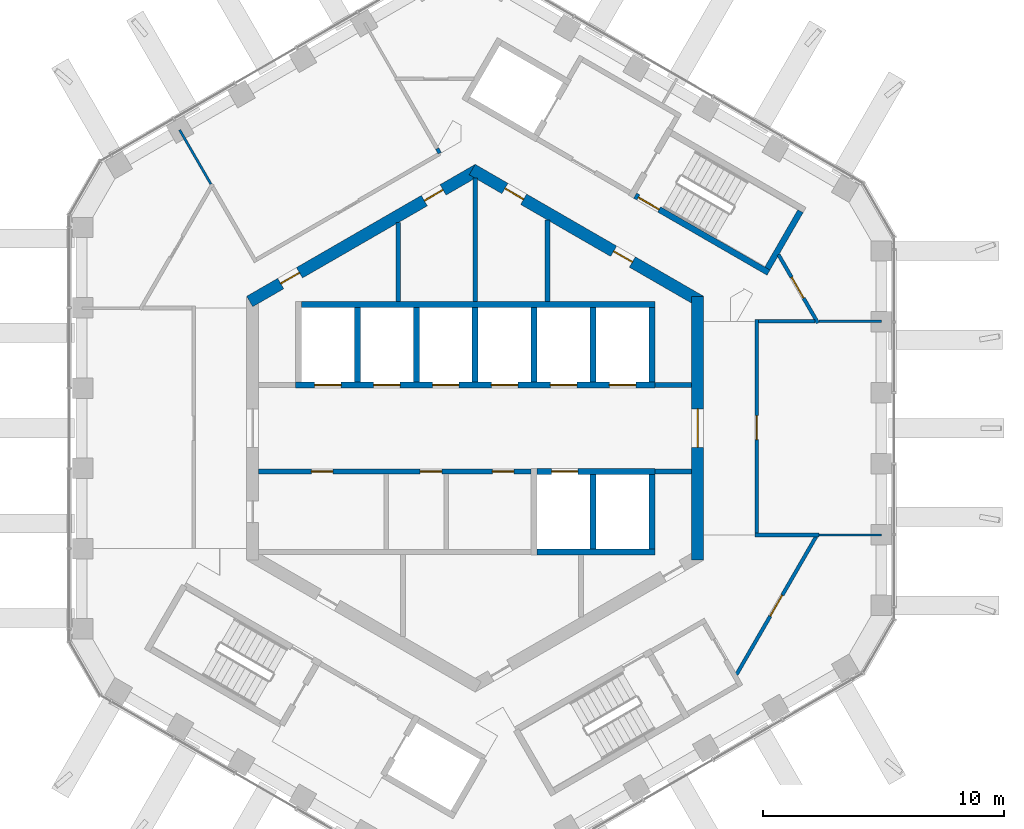
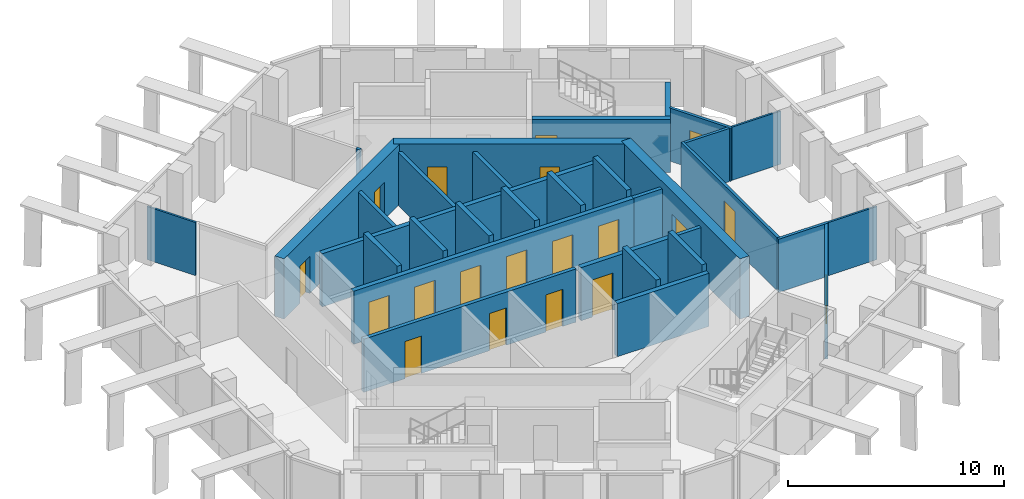
# One storey, part 12 of 17: 32 walls, 19 doors, 19 openings.
"""IFC4 building model written with IfcOpenShell, lengths in metres."""

import ifcopenshell
import ifcopenshell.guid

model = None  # the IFC model being written
_history = None  # IfcOwnerHistory: only IFC2X3 demands one
_inside = {}  # id of a spatial element -> (the spatial element, [elements in it])
_under = {}  # id of a project, library or spatial element -> (it, [spatial elements below it])
_declared = {}  # id of a project -> (the project, [libraries it declares])
_typed = {}  # id of a type object -> (the type object, [elements of that type])
_made_of = {}  # id of a material, layer set ... -> (it, [elements and type objects made of it])


def new_model(schema):
    """Start an empty IFC model of exactly this schema.

    Asked for "IFC4X3", IfcOpenShell would pick the latest addendum, in which some entities
    have other attributes; the version numbers below select the first issue.
    IFC2X3 requires an IfcOwnerHistory on every rooted entity: one is made here for all.
    """
    global model, _history
    if schema == "IFC4X3":
        model = ifcopenshell.file(schema_version=(4, 3, 0, 0))
    else:
        model = ifcopenshell.file(schema=schema)
    _inside.clear()
    _under.clear()
    _declared.clear()
    _typed.clear()
    _made_of.clear()
    _history = None
    if model.schema == "IFC2X3":
        org = make("IfcOrganization", Name="unknown")
        user = make(
            "IfcPersonAndOrganization",
            ThePerson=make("IfcPerson", FamilyName="unknown"),
            TheOrganization=org,
        )
        app = make(
            "IfcApplication",
            ApplicationDeveloper=org,
            Version="unknown",
            ApplicationFullName="unknown",
            ApplicationIdentifier="unknown",
        )
        _history = make(
            "IfcOwnerHistory",
            OwningUser=user,
            OwningApplication=app,
            ChangeAction="ADDED",
            CreationDate=0,
        )
    return model


def make(cls, **values):
    """One entity of the class cls with the attributes given. An attribute that is None is left unset."""
    return model.create_entity(
        cls, **{name: value for name, value in values.items() if value is not None}
    )


def rooted(cls, **values):
    """An entity with a GlobalId (a new one), such as an element, a storey or a relation."""
    return make(cls, GlobalId=ifcopenshell.guid.new(), OwnerHistory=_history, **values)


def si_unit(unit_type, name, prefix=None):
    """IfcSIUnit, for example si_unit("LENGTHUNIT", "METRE", prefix="MILLI")."""
    return make("IfcSIUnit", UnitType=unit_type, Prefix=prefix, Name=name)


def assignment(units):
    """IfcUnitAssignment: the units of a project."""
    return None if units is None else make("IfcUnitAssignment", Units=units)


def point(xyz):
    """IfcCartesianPoint."""
    return None if xyz is None else make("IfcCartesianPoint", Coordinates=xyz)


def direction(xyz):
    """IfcDirection."""
    return None if xyz is None else make("IfcDirection", DirectionRatios=xyz)


def frame(location, z_axis=None, x_axis=None):
    """IfcAxis2Placement3D, a coordinate frame: its origin and axes. An axis left out is left unset."""
    return make(
        "IfcAxis2Placement3D",
        Location=point(location),
        Axis=direction(z_axis),
        RefDirection=direction(x_axis),
    )


def frame_2d(location, x_axis=None):
    """IfcAxis2Placement2D, a coordinate frame in the plane: its origin and x axis."""
    return make(
        "IfcAxis2Placement2D", Location=point(location), RefDirection=direction(x_axis)
    )


def origin():
    """The frame at (0, 0, 0) with its axes left unset."""
    return frame((0.0, 0.0, 0.0))


def place(relative_to, where):
    """IfcLocalPlacement: puts the frame where relative to a parent placement (None: the world)."""
    return make(
        "IfcLocalPlacement", PlacementRelTo=relative_to, RelativePlacement=where
    )


def context(
    kind, dimensions, precision=None, world=None, true_north=None, identifier=None
):
    """IfcGeometricRepresentationContext, for example the 3D "Model" context."""
    return make(
        "IfcGeometricRepresentationContext",
        ContextIdentifier=identifier,
        ContextType=kind,
        CoordinateSpaceDimension=dimensions,
        Precision=precision,
        WorldCoordinateSystem=world,
        TrueNorth=true_north,
    )


def subcontext(parent, identifier, kind, view, scale=None):
    """IfcGeometricRepresentationSubContext, for example "Body" below "Model"."""
    return make(
        "IfcGeometricRepresentationSubContext",
        ContextIdentifier=identifier,
        ContextType=kind,
        ParentContext=parent,
        TargetScale=scale,
        TargetView=view,
    )


def project(units=None, contexts=None):
    """IfcProject with its units and contexts."""
    return rooted(
        "IfcProject",
        Name="project",
        RepresentationContexts=contexts,
        UnitsInContext=assignment(units),
    )


def spatial(cls, under=None, at=None, **own):
    """A site, building, storey or space (cls), placed at a placement, below another one or the project."""
    s = rooted(cls, ObjectPlacement=at, **own)
    if under is not None:
        _under.setdefault(under.id(), (under, []))[1].append(s)
    return s


def profile(cls, at=None, kind="AREA", **sizes):
    """A parametric profile (cls). Its sizes go by their IFC names, for example OverallWidth=200.0."""
    return make(cls, ProfileType=kind, Position=at, **sizes)


def rectangle(**sizes):
    """IfcRectangleProfileDef."""
    return profile("IfcRectangleProfileDef", **sizes)


def extrude(swept, where, along, depth):
    """IfcExtrudedAreaSolid: the profile swept, set in the frame where, extruded along a direction by depth."""
    return make(
        "IfcExtrudedAreaSolid",
        SweptArea=swept,
        Position=where,
        ExtrudedDirection=direction(along),
        Depth=depth,
    )


def shape(context_of_items, identifier, shape_type, items):
    """IfcShapeRepresentation: the items that make up one representation, for example the "Body"."""
    return make(
        "IfcShapeRepresentation",
        ContextOfItems=context_of_items,
        RepresentationIdentifier=identifier,
        RepresentationType=shape_type,
        Items=items,
    )


def material(Name=None, Category=None):
    """IfcMaterial."""
    return make("IfcMaterial", Name=Name, Category=Category)


def layer(
    of_material, thickness, ventilated=None, Name=None, Category=None, Priority=None
):
    """IfcMaterialLayer: one layer of a wall or slab, of a material (None: an air gap)."""
    return make(
        "IfcMaterialLayer",
        Material=of_material,
        LayerThickness=thickness,
        IsVentilated=ventilated,
        Name=Name,
        Category=Category,
        Priority=Priority,
    )


def layer_set(layers, Name=None):
    """IfcMaterialLayerSet."""
    return make("IfcMaterialLayerSet", MaterialLayers=layers, LayerSetName=Name)


def made_of(thing, what):
    """Note that an element or type object is made of a material, layer set ...; save() writes the relation."""
    if what is not None:
        _made_of.setdefault(what.id(), (what, []))[1].append(thing)
    return thing


def type_object(cls, material=None, **own):
    """A type object (cls), such as IfcWallType, which elements share."""
    return made_of(rooted(cls, **own), material)


def element(
    cls,
    number,
    at=None,
    inside=None,
    cuts=None,
    type_object=None,
    material=None,
    context=None,
    identifier="Body",
    shape_type=None,
    held_by="IfcProductDefinitionShape",
    body=None,
    shapes=None,
    **own,
):
    """One element of the class cls, such as IfcWall. Its Tag is "e" and its number.

    at: its placement. inside: the storey or other place that contains it. cuts: it is an
    opening in that element (IfcRelVoidsElement). A single representation is given by context,
    identifier, shape_type and body (its items); several are given by shapes. held_by: the class
    of the entity that holds the representations. save() writes the other relations.
    """
    e = rooted(cls, Tag="e%d" % number, ObjectPlacement=at, **own)
    if body is not None:
        shapes = [shape(context, identifier, shape_type, body)]
    if shapes is not None:
        e.Representation = make(held_by, Representations=shapes)
    if inside is not None:
        _inside.setdefault(inside.id(), (inside, []))[1].append(e)
    if cuts is not None:
        rooted(
            "IfcRelVoidsElement", RelatingBuildingElement=cuts, RelatedOpeningElement=e
        )
    if type_object is not None:
        _typed.setdefault(type_object.id(), (type_object, []))[1].append(e)
    return made_of(e, material)


def fill(opening, filler):
    """IfcRelFillsElement: the door or window that sits in an opening."""
    return rooted(
        "IfcRelFillsElement",
        RelatingOpeningElement=opening,
        RelatedBuildingElement=filler,
    )


def aggregate(whole, parts):
    """IfcRelAggregates: a whole, such as a stair, and the parts it consists of."""
    return rooted("IfcRelAggregates", RelatingObject=whole, RelatedObjects=parts)


def save(model, path):
    """Write the relations noted so far, then the file.

    IfcRelAggregates (storeys below a building ...), IfcRelContainedInSpatialStructure (elements
    in a storey), IfcRelDefinesByType, IfcRelAssociatesMaterial and IfcRelDeclares: one each for
    every whole, place, type object, material and project.
    """
    for whole, parts in _under.values():
        aggregate(whole, parts)
    for where, things in _inside.values():
        rooted(
            "IfcRelContainedInSpatialStructure",
            RelatedElements=things,
            RelatingStructure=where,
        )
    for kind, things in _typed.values():
        rooted("IfcRelDefinesByType", RelatedObjects=things, RelatingType=kind)
    for what, things in _made_of.values():
        rooted("IfcRelAssociatesMaterial", RelatedObjects=things, RelatingMaterial=what)
    for by, libraries in _declared.values():
        rooted("IfcRelDeclares", RelatingContext=by, RelatedDefinitions=libraries)
    model.write(path)


model = new_model("IFC4")

# Units and contexts
model_context = context("Model", 3, precision=1e-05, world=origin(), true_north=direction((0.0, 1.0)))
body_context = subcontext(model_context, "Body", "Model", "MODEL_VIEW")
ifc_project = project(units=[si_unit("LENGTHUNIT", "METRE"), si_unit("AREAUNIT", "SQUARE_METRE"), si_unit("VOLUMEUNIT", "CUBIC_METRE"), si_unit("PLANEANGLEUNIT", "RADIAN"), si_unit("MASSUNIT", "GRAM", prefix="KILO")], contexts=[model_context])

# Site, building, storey
site_placement = place(None, origin())
site = spatial("IfcSite", under=ifc_project, at=site_placement, CompositionType="ELEMENT")
building_placement = place(site_placement, origin())
building = spatial("IfcBuilding", under=site, at=building_placement, Name="Ayvan Gate Tower", CompositionType="ELEMENT")
storey_placement = place(building_placement, frame((0.0, 0.0, 249.5)))
storey = spatial("IfcBuildingStorey", under=building, at=storey_placement, Name="L67", CompositionType="ELEMENT", Elevation=249.5)

# Wall, opening, door
ifc_material_1 = material(Name="Concrete C60/75", Category="concrete")
ifc_layer_1 = layer(ifc_material_1, 0.5)
ifc_layer_set_1 = layer_set([ifc_layer_1], Name="Concrete C60/75")
wall_type_1 = type_object("IfcWallType", Name="Core wall 500 C60/75", PredefinedType="SHEAR", material=ifc_layer_set_1)
wall_1_placement = place(storey_placement, frame((9.25, -5.48486328125, 0.0), z_axis=(0.0, 0.0, 1.0), x_axis=(0.0, 1.0, 0.0)))
wall_1 = element("IfcWall", 1, at=wall_1_placement, inside=storey, type_object=wall_type_1, Name="CORE-L67-0", PredefinedType="SHEAR", context=body_context, shape_type="SweptSolid", body=[
    extrude(rectangle(XDim=10.9697265625, YDim=0.5, at=frame_2d((5.48486328125, 0.0))), origin(), (0.0, 0.0, 1.0), 3.39990234375),
])
opening_1_placement = place(wall_1_placement, frame((4.684814453125, 0.0, 0.0)))
opening_1 = element("IfcOpeningElement", 2, at=opening_1_placement, cuts=wall_1, Name="Opening L67-D37", PredefinedType="OPENING", context=body_context, shape_type="SweptSolid", body=[
    extrude(rectangle(XDim=1.60009765625, YDim=2.10009765625, at=frame_2d((0.800048828125, 1.050048828125))), frame((0.0, 0.260009765625, 0.0), z_axis=(0.0, -1.0, 0.0), x_axis=(1.0, 0.0, 0.0)), (0.0, 0.0, 1.0), 0.52001953125),
])
ifc_material_2 = material(Name="Timber door leaf", Category="wood")
door_type_1 = type_object("IfcDoorType", Name="DT-1600", OperationType="NOTDEFINED", PredefinedType="DOOR", material=ifc_material_2)
door_1_placement = place(opening_1_placement, origin())
door_1 = element("IfcDoor", 3, at=door_1_placement, inside=storey, type_object=door_type_1, Name="CD-L67-37", OperationType="SINGLE_SWING_RIGHT", OverallHeight=2.10009765625, OverallWidth=1.60009765625, PredefinedType="DOOR", context=body_context, shape_type="SweptSolid", body=[
    extrude(rectangle(XDim=1.60009765625, YDim=2.10009765625, at=frame_2d((0.800048828125, 1.050048828125))), frame((0.0, 0.02490234375, 0.0), z_axis=(0.0, -1.0, 0.0), x_axis=(1.0, 0.0, 0.0)), (0.0, 0.0, 1.0), 0.050048828125),
])
fill(opening_1, door_1)

# Wall, openings, doors
wall_2_placement = place(storey_placement, frame((9.375, 5.268310546875, 0.0), z_axis=(0.0, 0.0, 1.0), x_axis=(-0.866023993627, 0.500002442456, 0.0)))
wall_2 = element("IfcWall", 4, at=wall_2_placement, inside=storey, type_object=wall_type_1, Name="CORE-L67-1", PredefinedType="SHEAR", context=body_context, shape_type="SweptSolid", body=[
    extrude(rectangle(XDim=10.9697265625, YDim=0.5, at=frame_2d((5.48486328125, 0.0))), origin(), (0.0, 0.0, 1.0), 3.39990234375),
])
opening_2_placement = place(wall_2_placement, frame((8.49951171875, 0.0, 0.0)))
opening_2 = element("IfcOpeningElement", 5, at=opening_2_placement, cuts=wall_2, Name="Opening L67-D31", PredefinedType="OPENING", context=body_context, shape_type="SweptSolid", body=[
    extrude(rectangle(XDim=0.89990234375, YDim=2.10009765625, at=frame_2d((0.449951171875, 1.050048828125))), frame((0.0, 0.260009765625, 0.0), z_axis=(0.0, -1.0, 0.0), x_axis=(1.0, 0.0, 0.0)), (0.0, 0.0, 1.0), 0.52001953125),
])
opening_3_placement = place(wall_2_placement, frame((3.2802734375, 0.0, 0.0)))
opening_3 = element("IfcOpeningElement", 6, at=opening_3_placement, cuts=wall_2, Name="Opening L67-D32", PredefinedType="OPENING", context=body_context, shape_type="SweptSolid", body=[
    extrude(rectangle(XDim=0.89990234375, YDim=2.10009765625, at=frame_2d((0.449951171875, 1.050048828125))), frame((0.0, 0.260009765625, 0.0), z_axis=(0.0, -1.0, 0.0), x_axis=(1.0, 0.0, 0.0)), (0.0, 0.0, 1.0), 0.52001953125),
])
door_type_2 = type_object("IfcDoorType", Name="DT-900", OperationType="NOTDEFINED", PredefinedType="DOOR", material=ifc_material_2)
door_2_placement = place(opening_2_placement, origin())
door_2 = element("IfcDoor", 7, at=door_2_placement, inside=storey, type_object=door_type_2, Name="CD-L67-31", OperationType="SINGLE_SWING_RIGHT", OverallHeight=2.10009765625, OverallWidth=0.89990234375, PredefinedType="DOOR", context=body_context, shape_type="SweptSolid", body=[
    extrude(rectangle(XDim=0.89990234375, YDim=2.10009765625, at=frame_2d((0.449951171875, 1.050048828125))), frame((0.0, 0.02490234375, 0.0), z_axis=(0.0, -1.0, 0.0), x_axis=(1.0, 0.0, 0.0)), (0.0, 0.0, 1.0), 0.050048828125),
])
fill(opening_2, door_2)
door_3_placement = place(opening_3_placement, origin())
door_3 = element("IfcDoor", 8, at=door_3_placement, inside=storey, type_object=door_type_2, Name="CD-L67-32", OperationType="SINGLE_SWING_LEFT", OverallHeight=2.10009765625, OverallWidth=0.89990234375, PredefinedType="DOOR", context=body_context, shape_type="SweptSolid", body=[
    extrude(rectangle(XDim=0.89990234375, YDim=2.10009765625, at=frame_2d((0.449951171875, 1.050048828125))), frame((0.0, 0.02490234375, 0.0), z_axis=(0.0, -1.0, 0.0), x_axis=(1.0, 0.0, 0.0)), (0.0, 0.0, 1.0), 0.050048828125),
])
fill(opening_3, door_3)

wall_3_placement = place(storey_placement, frame((0.125, 10.753173828125, 0.0), z_axis=(0.0, 0.0, 1.0), x_axis=(-0.866023993627, -0.500002442456, 0.0)))
wall_3 = element("IfcWall", 9, at=wall_3_placement, inside=storey, type_object=wall_type_1, Name="CORE-L67-2", PredefinedType="SHEAR", context=body_context, shape_type="SweptSolid", body=[
    extrude(rectangle(XDim=10.9697265625, YDim=0.5, at=frame_2d((5.48486328125, 0.0))), origin(), (0.0, 0.0, 1.0), 3.39990234375),
])
opening_4_placement = place(wall_3_placement, frame((8.580810546875, 0.0, 0.0)))
opening_4 = element("IfcOpeningElement", 10, at=opening_4_placement, cuts=wall_3, Name="Opening L67-D29", PredefinedType="OPENING", context=body_context, shape_type="SweptSolid", body=[
    extrude(rectangle(XDim=0.89990234375, YDim=2.10009765625, at=frame_2d((0.449951171875, 1.050048828125))), frame((0.0, 0.260009765625, 0.0), z_axis=(0.0, -1.0, 0.0), x_axis=(1.0, 0.0, 0.0)), (0.0, 0.0, 1.0), 0.52001953125),
])
opening_5_placement = place(wall_3_placement, frame((1.686767578125, 0.0, 0.0)))
opening_5 = element("IfcOpeningElement", 11, at=opening_5_placement, cuts=wall_3, Name="Opening L67-D30", PredefinedType="OPENING", context=body_context, shape_type="SweptSolid", body=[
    extrude(rectangle(XDim=0.89990234375, YDim=2.10009765625, at=frame_2d((0.449951171875, 1.050048828125))), frame((0.0, 0.260009765625, 0.0), z_axis=(0.0, -1.0, 0.0), x_axis=(1.0, 0.0, 0.0)), (0.0, 0.0, 1.0), 0.52001953125),
])
door_4_placement = place(opening_4_placement, origin())
door_4 = element("IfcDoor", 12, at=door_4_placement, inside=storey, type_object=door_type_2, Name="CD-L67-29", OperationType="SINGLE_SWING_RIGHT", OverallHeight=2.10009765625, OverallWidth=0.89990234375, PredefinedType="DOOR", context=body_context, shape_type="SweptSolid", body=[
    extrude(rectangle(XDim=0.89990234375, YDim=2.10009765625, at=frame_2d((0.449951171875, 1.050048828125))), frame((0.0, 0.02490234375, 0.0), z_axis=(0.0, -1.0, 0.0), x_axis=(1.0, 0.0, 0.0)), (0.0, 0.0, 1.0), 0.050048828125),
])
fill(opening_4, door_4)
door_5_placement = place(opening_5_placement, origin())
door_5 = element("IfcDoor", 13, at=door_5_placement, inside=storey, type_object=door_type_2, Name="CD-L67-30", OperationType="SINGLE_SWING_LEFT", OverallHeight=2.10009765625, OverallWidth=0.89990234375, PredefinedType="DOOR", context=body_context, shape_type="SweptSolid", body=[
    extrude(rectangle(XDim=0.89990234375, YDim=2.10009765625, at=frame_2d((0.449951171875, 1.050048828125))), frame((0.0, 0.02490234375, 0.0), z_axis=(0.0, -1.0, 0.0), x_axis=(1.0, 0.0, 0.0)), (0.0, 0.0, 1.0), 0.050048828125),
])
fill(opening_5, door_5)

# Walls
ifc_material_3 = material(Name="Plasterboard on steel stud", Category="steel")
ifc_layer_2 = layer(ifc_material_3, 0.14990234375)
ifc_layer_set_2 = layer_set([ifc_layer_2], Name="Plasterboard on steel stud")
wall_type_2 = type_object("IfcWallType", Name="WT-CORR-150", PredefinedType="PARTITIONING", material=ifc_layer_set_2)
wall_4_placement = place(storey_placement, frame((-1.5830078125, 11.623291015625, 0.0), z_axis=(0.0, 0.0, 1.0), x_axis=(0.500240224089, -0.865886665912, 0.0)))
element("IfcWall", 14, at=wall_4_placement, inside=storey, type_object=wall_type_2, Name="IW-L67-028", PredefinedType="PARTITIONING", context=body_context, shape_type="SweptSolid", body=[
    extrude(rectangle(XDim=0.2177734375, YDim=0.14990234375, at=frame_2d((0.10888671875, 0.0))), origin(), (0.0, 0.0, 1.0), 3.0),
])
wall_5_placement = place(storey_placement, frame((11.625, -4.440673828125, 0.0), z_axis=(0.0, 0.0, 1.0), x_axis=(1.0, 0.0, 0.0)))
element("IfcWall", 15, at=wall_5_placement, inside=storey, type_object=wall_type_2, Name="IW-L67-065", PredefinedType="PARTITIONING", context=body_context, shape_type="SweptSolid", body=[
    extrude(rectangle(XDim=2.6611328125, YDim=0.14990234375, at=frame_2d((1.33056640625, 0.0))), origin(), (0.0, 0.0, 1.0), 3.0),
])

# Wall, opening, door
wall_6_placement = place(storey_placement, frame((11.699951171875, 4.515625, 0.0), z_axis=(0.0, 0.0, 1.0), x_axis=(0.0, -1.0, 0.0)))
wall_6 = element("IfcWall", 16, at=wall_6_placement, inside=storey, type_object=wall_type_2, Name="IW-L67-066", PredefinedType="PARTITIONING", context=body_context, shape_type="SweptSolid", body=[
    extrude(rectangle(XDim=8.88134765625, YDim=0.14990234375, at=frame_2d((4.440673828125, 0.0))), origin(), (0.0, 0.0, 1.0), 3.0),
])
opening_6_placement = place(wall_6_placement, frame((3.9931640625, 0.0, 0.0)))
opening_6 = element("IfcOpeningElement", 17, at=opening_6_placement, cuts=wall_6, Name="Opening L67-D22", PredefinedType="OPENING", context=body_context, shape_type="SweptSolid", body=[
    extrude(rectangle(XDim=1.0, YDim=2.10009765625, at=frame_2d((0.5, 1.050048828125))), frame((0.0, 0.0849609375, 0.0), z_axis=(0.0, -1.0, 0.0), x_axis=(1.0, 0.0, 0.0)), (0.0, 0.0, 1.0), 0.169921875),
])
door_type_3 = type_object("IfcDoorType", Name="DT-1000", OperationType="NOTDEFINED", PredefinedType="DOOR", material=ifc_material_2)
door_6_placement = place(opening_6_placement, origin())
door_6 = element("IfcDoor", 18, at=door_6_placement, inside=storey, type_object=door_type_3, Name="ID-L67-022", OperationType="SINGLE_SWING_LEFT", OverallHeight=2.10009765625, OverallWidth=1.0, PredefinedType="DOOR", context=body_context, shape_type="SweptSolid", body=[
    extrude(rectangle(XDim=1.0, YDim=2.10009765625, at=frame_2d((0.5, 1.050048828125))), frame((0.0, 0.02490234375, 0.0), z_axis=(0.0, -1.0, 0.0), x_axis=(1.0, 0.0, 0.0)), (0.0, 0.0, 1.0), 0.050048828125),
])
fill(opening_6, door_6)

wall_7_placement = place(storey_placement, frame((12.60693359375, 7.21923828125, 0.0), z_axis=(0.0, 0.0, 1.0), x_axis=(0.499977771575, -0.866038236991, 0.0)))
wall_7 = element("IfcWall", 19, at=wall_7_placement, inside=storey, type_object=wall_type_2, Name="IW-L67-068", PredefinedType="PARTITIONING", context=body_context, shape_type="SweptSolid", body=[
    extrude(rectangle(XDim=3.283447265625, YDim=0.14990234375, at=frame_2d((1.6416015625, 0.0))), origin(), (0.0, 0.0, 1.0), 3.0),
])
opening_7_placement = place(wall_7_placement, frame((1.0869140625, 0.0, 0.0)))
opening_7 = element("IfcOpeningElement", 20, at=opening_7_placement, cuts=wall_7, Name="Opening L67-D23", PredefinedType="OPENING", context=body_context, shape_type="SweptSolid", body=[
    extrude(rectangle(XDim=1.0, YDim=2.10009765625, at=frame_2d((0.5, 1.050048828125))), frame((0.0, 0.0849609375, 0.0), z_axis=(0.0, -1.0, 0.0), x_axis=(1.0, 0.0, 0.0)), (0.0, 0.0, 1.0), 0.169921875),
])
door_7_placement = place(opening_7_placement, origin())
door_7 = element("IfcDoor", 21, at=door_7_placement, inside=storey, type_object=door_type_3, Name="ID-L67-023", OperationType="SINGLE_SWING_RIGHT", OverallHeight=2.10009765625, OverallWidth=1.0, PredefinedType="DOOR", context=body_context, shape_type="SweptSolid", body=[
    extrude(rectangle(XDim=1.0, YDim=2.10009765625, at=frame_2d((0.5, 1.050048828125))), frame((0.0, 0.02490234375, 0.0), z_axis=(0.0, -1.0, 0.0), x_axis=(1.0, 0.0, 0.0)), (0.0, 0.0, 1.0), 0.050048828125),
])
fill(opening_7, door_7)

wall_8_placement = place(storey_placement, frame((14.173583984375, -4.505615234375, 0.0), z_axis=(0.0, 0.0, 1.0), x_axis=(-0.499996888874, -0.866027199987, 0.0)))
wall_8 = element("IfcWall", 22, at=wall_8_placement, inside=storey, type_object=wall_type_2, Name="IW-L67-071", PredefinedType="PARTITIONING", context=body_context, shape_type="SweptSolid", body=[
    extrude(rectangle(XDim=6.62255859375, YDim=0.14990234375, at=frame_2d((3.311279296875, 0.0))), origin(), (0.0, 0.0, 1.0), 3.0),
])
opening_8_placement = place(wall_8_placement, frame((2.811279296875, 0.0, 0.0)))
opening_8 = element("IfcOpeningElement", 23, at=opening_8_placement, cuts=wall_8, Name="Opening L67-D27", PredefinedType="OPENING", context=body_context, shape_type="SweptSolid", body=[
    extrude(rectangle(XDim=1.0, YDim=2.10009765625, at=frame_2d((0.5, 1.050048828125))), frame((0.0, 0.0849609375, 0.0), z_axis=(0.0, -1.0, 0.0), x_axis=(1.0, 0.0, 0.0)), (0.0, 0.0, 1.0), 0.169921875),
])
door_8_placement = place(opening_8_placement, origin())
door_8 = element("IfcDoor", 24, at=door_8_placement, inside=storey, type_object=door_type_3, Name="ID-L67-027", OperationType="SINGLE_SWING_RIGHT", OverallHeight=2.10009765625, OverallWidth=1.0, PredefinedType="DOOR", context=body_context, shape_type="SweptSolid", body=[
    extrude(rectangle(XDim=1.0, YDim=2.10009765625, at=frame_2d((0.5, 1.050048828125))), frame((0.0, 0.02490234375, 0.0), z_axis=(0.0, -1.0, 0.0), x_axis=(1.0, 0.0, 0.0)), (0.0, 0.0, 1.0), 0.050048828125),
])
fill(opening_8, door_8)

# Walls
wall_9_placement = place(storey_placement, frame((14.135986328125, 4.440673828125, 0.0), z_axis=(0.0, 0.0, 1.0), x_axis=(-1.0, 0.0, 0.0)))
element("IfcWall", 25, at=wall_9_placement, inside=storey, type_object=wall_type_2, Name="IW-L67-072", PredefinedType="PARTITIONING", context=body_context, shape_type="SweptSolid", body=[
    extrude(rectangle(XDim=2.361083984375, YDim=0.14990234375, at=frame_2d((1.1806640625, 0.0))), origin(), (0.0, 0.0, 1.0), 3.0),
])
ifc_layer_3 = layer(ifc_material_3, 0.10009765625)
ifc_layer_set_3 = layer_set([ifc_layer_3], Name="Plasterboard on steel stud")
wall_type_3 = type_object("IfcWallType", Name="WT-PART-100", PredefinedType="PARTITIONING", material=ifc_layer_set_3)
wall_10_placement = place(storey_placement, frame((-12.28955078125, 12.404541015625, 0.0), z_axis=(0.0, 0.0, 1.0), x_axis=(0.500055541894, -0.865993334282, 0.0)))
element("IfcWall", 26, at=wall_10_placement, inside=storey, type_object=wall_type_3, Name="IW-L67-003", PredefinedType="PARTITIONING", context=body_context, shape_type="SweptSolid", body=[
    extrude(rectangle(XDim=2.601318359375, YDim=0.10009765625, at=frame_2d((1.30078125, 0.0))), origin(), (0.0, 0.0, 1.0), 3.0),
])
for number, where, z_axis, x_axis, name in (
    (27, (14.285888671875, 4.440673828125, 0.0), (0.0, 0.0, 1.0), (1.0, 0.0, 0.0), "IW-L67-070"),
    (28, (16.887451171875, -4.440673828125, 0.0), (0.0, 0.0, 1.0), (-1.0, 0.0, 0.0), "IW-L67-073"),
):
    element("IfcWall", number, at=place(storey_placement, frame(where, z_axis=z_axis, x_axis=x_axis)), inside=storey, type_object=wall_type_3, Name=name, PredefinedType="PARTITIONING", context=body_context, shape_type="SweptSolid", body=[
        extrude(rectangle(XDim=2.6015625, YDim=0.10009765625, at=frame_2d((1.30078125, 0.0))), origin(), (0.0, 0.0, 1.0), 3.0),
    ])

# Wall, openings, doors
ifc_layer_4 = layer(ifc_material_3, 0.199951171875)
ifc_layer_set_4 = layer_set([ifc_layer_4], Name="Plasterboard on steel stud")
wall_type_4 = type_object("IfcWallType", Name="WT-RATED-200", PredefinedType="PARTITIONING", material=ifc_layer_set_4)
wall_11_placement = place(storey_placement, frame((-9.0, -1.800048828125, 0.0), z_axis=(0.0, 0.0, 1.0), x_axis=(1.0, 0.0, 0.0)))
wall_11 = element("IfcWall", 29, at=wall_11_placement, inside=storey, type_object=wall_type_4, Name="IW-L67-019", PredefinedType="PARTITIONING", context=body_context, shape_type="SweptSolid", body=[
    extrude(rectangle(XDim=11.3251953125, YDim=0.199951171875, at=frame_2d((5.66259765625, 0.0))), origin(), (0.0, 0.0, 1.0), 3.0),
])
opening_9_placement = place(wall_11_placement, frame((2.18505859375, 0.0, 0.0)))
opening_9 = element("IfcOpeningElement", 30, at=opening_9_placement, cuts=wall_11, Name="Opening L67-D08", PredefinedType="OPENING", context=body_context, shape_type="SweptSolid", body=[
    extrude(rectangle(XDim=0.89990234375, YDim=2.10009765625, at=frame_2d((0.449951171875, 1.050048828125))), frame((0.0, 0.10986328125, 0.0), z_axis=(0.0, -1.0, 0.0), x_axis=(1.0, 0.0, 0.0)), (0.0, 0.0, 1.0), 0.219970703125),
])
opening_10_placement = place(wall_11_placement, frame((6.7099609375, 0.0, 0.0)))
opening_10 = element("IfcOpeningElement", 31, at=opening_10_placement, cuts=wall_11, Name="Opening L67-D09", PredefinedType="OPENING", context=body_context, shape_type="SweptSolid", body=[
    extrude(rectangle(XDim=0.89990234375, YDim=2.10009765625, at=frame_2d((0.449951171875, 1.050048828125))), frame((0.0, 0.10986328125, 0.0), z_axis=(0.0, -1.0, 0.0), x_axis=(1.0, 0.0, 0.0)), (0.0, 0.0, 1.0), 0.219970703125),
])
opening_11_placement = place(wall_11_placement, frame((9.712646484375, 0.0, 0.0)))
opening_11 = element("IfcOpeningElement", 32, at=opening_11_placement, cuts=wall_11, Name="Opening L67-D10", PredefinedType="OPENING", context=body_context, shape_type="SweptSolid", body=[
    extrude(rectangle(XDim=0.89990234375, YDim=2.10009765625, at=frame_2d((0.449951171875, 1.050048828125))), frame((0.0, 0.10986328125, 0.0), z_axis=(0.0, -1.0, 0.0), x_axis=(1.0, 0.0, 0.0)), (0.0, 0.0, 1.0), 0.219970703125),
])
door_9_placement = place(opening_9_placement, origin())
door_9 = element("IfcDoor", 33, at=door_9_placement, inside=storey, type_object=door_type_2, Name="ID-L67-008", OperationType="SINGLE_SWING_LEFT", OverallHeight=2.10009765625, OverallWidth=0.89990234375, PredefinedType="DOOR", context=body_context, shape_type="SweptSolid", body=[
    extrude(rectangle(XDim=0.89990234375, YDim=2.10009765625, at=frame_2d((0.449951171875, 1.050048828125))), frame((0.0, 0.02490234375, 0.0), z_axis=(0.0, -1.0, 0.0), x_axis=(1.0, 0.0, 0.0)), (0.0, 0.0, 1.0), 0.050048828125),
])
fill(opening_9, door_9)
door_10_placement = place(opening_10_placement, origin())
door_10 = element("IfcDoor", 34, at=door_10_placement, inside=storey, type_object=door_type_2, Name="ID-L67-009", OperationType="SINGLE_SWING_RIGHT", OverallHeight=2.10009765625, OverallWidth=0.89990234375, PredefinedType="DOOR", context=body_context, shape_type="SweptSolid", body=[
    extrude(rectangle(XDim=0.89990234375, YDim=2.10009765625, at=frame_2d((0.449951171875, 1.050048828125))), frame((0.0, 0.02490234375, 0.0), z_axis=(0.0, -1.0, 0.0), x_axis=(1.0, 0.0, 0.0)), (0.0, 0.0, 1.0), 0.050048828125),
])
fill(opening_10, door_10)
door_11_placement = place(opening_11_placement, origin())
door_11 = element("IfcDoor", 35, at=door_11_placement, inside=storey, type_object=door_type_2, Name="ID-L67-010", OperationType="SINGLE_SWING_LEFT", OverallHeight=2.10009765625, OverallWidth=0.89990234375, PredefinedType="DOOR", context=body_context, shape_type="SweptSolid", body=[
    extrude(rectangle(XDim=0.89990234375, YDim=2.10009765625, at=frame_2d((0.449951171875, 1.050048828125))), frame((0.0, 0.02490234375, 0.0), z_axis=(0.0, -1.0, 0.0), x_axis=(1.0, 0.0, 0.0)), (0.0, 0.0, 1.0), 0.050048828125),
])
fill(opening_11, door_11)

# Walls
wall_12_placement = place(storey_placement, frame((-3.199951171875, 8.544921875, 0.0), z_axis=(0.0, 0.0, 1.0), x_axis=(0.0, -1.0, 0.0)))
element("IfcWall", 36, at=wall_12_placement, inside=storey, type_object=wall_type_4, Name="IW-L67-022", PredefinedType="PARTITIONING", context=body_context, shape_type="SweptSolid", body=[
    extrude(rectangle(XDim=3.27001953125, YDim=0.199951171875, at=frame_2d((1.635009765625, 0.0))), origin(), (0.0, 0.0, 1.0), 3.0),
])
wall_13_placement = place(storey_placement, frame((0.0, 10.392333984375, 0.0), z_axis=(0.0, 0.0, 1.0), x_axis=(0.0, -1.0, 0.0)))
element("IfcWall", 37, at=wall_13_placement, inside=storey, type_object=wall_type_4, Name="IW-L67-033", PredefinedType="PARTITIONING", context=body_context, shape_type="SweptSolid", body=[
    extrude(rectangle(XDim=5.117431640625, YDim=0.199951171875, at=frame_2d((2.55859375, 0.0))), origin(), (0.0, 0.0, 1.0), 3.0),
])
wall_14_placement = place(storey_placement, frame((3.0, 8.660400390625, 0.0), z_axis=(0.0, 0.0, 1.0), x_axis=(0.0, -1.0, 0.0)))
element("IfcWall", 38, at=wall_14_placement, inside=storey, type_object=wall_type_4, Name="IW-L67-041", PredefinedType="PARTITIONING", context=body_context, shape_type="SweptSolid", body=[
    extrude(rectangle(XDim=3.385498046875, YDim=0.199951171875, at=frame_2d((1.69287109375, 0.0))), origin(), (0.0, 0.0, 1.0), 3.0),
])
for number, where, z_axis, x_axis, name in (
    (39, (7.474853515625, 1.800048828125, 0.0), (0.0, 0.0, 1.0), (1.0, 0.0, 0.0), "IW-L67-055"),
    (40, (9.0, -1.800048828125, 0.0), (0.0, 0.0, 1.0), (-1.0, 0.0, 0.0), "IW-L67-062"),
):
    element("IfcWall", number, at=place(storey_placement, frame(where, z_axis=z_axis, x_axis=x_axis)), inside=storey, type_object=wall_type_4, Name=name, PredefinedType="PARTITIONING", context=body_context, shape_type="SweptSolid", body=[
        extrude(rectangle(XDim=1.525146484375, YDim=0.199951171875, at=frame_2d((0.7626953125, 0.0))), origin(), (0.0, 0.0, 1.0), 3.0),
    ])

# Wall, openings, doors
ifc_material_4 = material(Name="Concrete C50/60", Category="concrete")
ifc_layer_5 = layer(ifc_material_4, 0.25)
ifc_layer_set_5 = layer_set([ifc_layer_5], Name="Concrete C50/60")
wall_type_5 = type_object("IfcWallType", Name="WT-RC-250", PredefinedType="SHEAR", material=ifc_layer_set_5)
wall_15_placement = place(storey_placement, frame((-7.47509765625, 1.800048828125, 0.0), z_axis=(0.0, 0.0, 1.0), x_axis=(1.0, 0.0, 0.0)))
wall_15 = element("IfcWall", 41, at=wall_15_placement, inside=storey, type_object=wall_type_5, Name="IW-L67-012", PredefinedType="SHEAR", context=body_context, shape_type="SweptSolid", body=[
    extrude(rectangle(XDim=14.9501953125, YDim=0.25, at=frame_2d((7.47509765625, 0.0))), origin(), (0.0, 0.0, 1.0), 3.0),
])
opening_12_placement = place(wall_15_placement, frame((0.800048828125, 0.0, 0.0)))
opening_12 = element("IfcOpeningElement", 42, at=opening_12_placement, cuts=wall_15, Name="Opening L67-LD-HR1", PredefinedType="OPENING", context=body_context, shape_type="SweptSolid", body=[
    extrude(rectangle(XDim=1.10009765625, YDim=2.10009765625, at=frame_2d((0.550048828125, 1.050048828125))), frame((0.0, 0.135009765625, 0.0), z_axis=(0.0, -1.0, 0.0), x_axis=(1.0, 0.0, 0.0)), (0.0, 0.0, 1.0), 0.27001953125),
])
opening_13_placement = place(wall_15_placement, frame((3.25, 0.0, 0.0)))
opening_13 = element("IfcOpeningElement", 43, at=opening_13_placement, cuts=wall_15, Name="Opening L67-LD-HR2", PredefinedType="OPENING", context=body_context, shape_type="SweptSolid", body=[
    extrude(rectangle(XDim=1.10009765625, YDim=2.10009765625, at=frame_2d((0.550048828125, 1.050048828125))), frame((0.0, 0.135009765625, 0.0), z_axis=(0.0, -1.0, 0.0), x_axis=(1.0, 0.0, 0.0)), (0.0, 0.0, 1.0), 0.27001953125),
])
opening_14_placement = place(wall_15_placement, frame((5.7001953125, 0.0, 0.0)))
opening_14 = element("IfcOpeningElement", 44, at=opening_14_placement, cuts=wall_15, Name="Opening L67-LD-HR3", PredefinedType="OPENING", context=body_context, shape_type="SweptSolid", body=[
    extrude(rectangle(XDim=1.10009765625, YDim=2.10009765625, at=frame_2d((0.550048828125, 1.050048828125))), frame((0.0, 0.135009765625, 0.0), z_axis=(0.0, -1.0, 0.0), x_axis=(1.0, 0.0, 0.0)), (0.0, 0.0, 1.0), 0.27001953125),
])
opening_15_placement = place(wall_15_placement, frame((8.150146484375, 0.0, 0.0)))
opening_15 = element("IfcOpeningElement", 45, at=opening_15_placement, cuts=wall_15, Name="Opening L67-LD-HR4", PredefinedType="OPENING", context=body_context, shape_type="SweptSolid", body=[
    extrude(rectangle(XDim=1.10009765625, YDim=2.10009765625, at=frame_2d((0.550048828125, 1.050048828125))), frame((0.0, 0.135009765625, 0.0), z_axis=(0.0, -1.0, 0.0), x_axis=(1.0, 0.0, 0.0)), (0.0, 0.0, 1.0), 0.27001953125),
])
opening_16_placement = place(wall_15_placement, frame((10.60009765625, 0.0, 0.0)))
opening_16 = element("IfcOpeningElement", 46, at=opening_16_placement, cuts=wall_15, Name="Opening L67-LD-HR5", PredefinedType="OPENING", context=body_context, shape_type="SweptSolid", body=[
    extrude(rectangle(XDim=1.10009765625, YDim=2.10009765625, at=frame_2d((0.550048828125, 1.050048828125))), frame((0.0, 0.135009765625, 0.0), z_axis=(0.0, -1.0, 0.0), x_axis=(1.0, 0.0, 0.0)), (0.0, 0.0, 1.0), 0.27001953125),
])
opening_17_placement = place(wall_15_placement, frame((13.050048828125, 0.0, 0.0)))
opening_17 = element("IfcOpeningElement", 47, at=opening_17_placement, cuts=wall_15, Name="Opening L67-LD-HR6", PredefinedType="OPENING", context=body_context, shape_type="SweptSolid", body=[
    extrude(rectangle(XDim=1.10009765625, YDim=2.10009765625, at=frame_2d((0.550048828125, 1.050048828125))), frame((0.0, 0.135009765625, 0.0), z_axis=(0.0, -1.0, 0.0), x_axis=(1.0, 0.0, 0.0)), (0.0, 0.0, 1.0), 0.27001953125),
])
ifc_material_5 = material(Name="Stainless steel landing door", Category="steel")
door_type_4 = type_object("IfcDoorType", Name="DT-LANDING-1100", OperationType="SLIDING_TO_LEFT", PredefinedType="DOOR", material=ifc_material_5)
door_12_placement = place(opening_12_placement, origin())
door_12 = element("IfcDoor", 48, at=door_12_placement, inside=storey, type_object=door_type_4, Name="ID-L67-001", OperationType="SLIDING_TO_LEFT", OverallHeight=2.10009765625, OverallWidth=1.10009765625, PredefinedType="DOOR", context=body_context, shape_type="SweptSolid", body=[
    extrude(rectangle(XDim=1.10009765625, YDim=2.10009765625, at=frame_2d((0.550048828125, 1.050048828125))), frame((0.0, 0.02490234375, 0.0), z_axis=(0.0, -1.0, 0.0), x_axis=(1.0, 0.0, 0.0)), (0.0, 0.0, 1.0), 0.050048828125),
])
fill(opening_12, door_12)
door_13_placement = place(opening_13_placement, origin())
door_13 = element("IfcDoor", 49, at=door_13_placement, inside=storey, type_object=door_type_4, Name="ID-L67-002", OperationType="SLIDING_TO_LEFT", OverallHeight=2.10009765625, OverallWidth=1.10009765625, PredefinedType="DOOR", context=body_context, shape_type="SweptSolid", body=[
    extrude(rectangle(XDim=1.10009765625, YDim=2.10009765625, at=frame_2d((0.550048828125, 1.050048828125))), frame((0.0, 0.02490234375, 0.0), z_axis=(0.0, -1.0, 0.0), x_axis=(1.0, 0.0, 0.0)), (0.0, 0.0, 1.0), 0.050048828125),
])
fill(opening_13, door_13)
door_14_placement = place(opening_14_placement, origin())
door_14 = element("IfcDoor", 50, at=door_14_placement, inside=storey, type_object=door_type_4, Name="ID-L67-003", OperationType="SLIDING_TO_LEFT", OverallHeight=2.10009765625, OverallWidth=1.10009765625, PredefinedType="DOOR", context=body_context, shape_type="SweptSolid", body=[
    extrude(rectangle(XDim=1.10009765625, YDim=2.10009765625, at=frame_2d((0.550048828125, 1.050048828125))), frame((0.0, 0.02490234375, 0.0), z_axis=(0.0, -1.0, 0.0), x_axis=(1.0, 0.0, 0.0)), (0.0, 0.0, 1.0), 0.050048828125),
])
fill(opening_14, door_14)
door_15_placement = place(opening_15_placement, origin())
door_15 = element("IfcDoor", 51, at=door_15_placement, inside=storey, type_object=door_type_4, Name="ID-L67-004", OperationType="SLIDING_TO_LEFT", OverallHeight=2.10009765625, OverallWidth=1.10009765625, PredefinedType="DOOR", context=body_context, shape_type="SweptSolid", body=[
    extrude(rectangle(XDim=1.10009765625, YDim=2.10009765625, at=frame_2d((0.550048828125, 1.050048828125))), frame((0.0, 0.02490234375, 0.0), z_axis=(0.0, -1.0, 0.0), x_axis=(1.0, 0.0, 0.0)), (0.0, 0.0, 1.0), 0.050048828125),
])
fill(opening_15, door_15)
door_16_placement = place(opening_16_placement, origin())
door_16 = element("IfcDoor", 52, at=door_16_placement, inside=storey, type_object=door_type_4, Name="ID-L67-005", OperationType="SLIDING_TO_LEFT", OverallHeight=2.10009765625, OverallWidth=1.10009765625, PredefinedType="DOOR", context=body_context, shape_type="SweptSolid", body=[
    extrude(rectangle(XDim=1.10009765625, YDim=2.10009765625, at=frame_2d((0.550048828125, 1.050048828125))), frame((0.0, 0.02490234375, 0.0), z_axis=(0.0, -1.0, 0.0), x_axis=(1.0, 0.0, 0.0)), (0.0, 0.0, 1.0), 0.050048828125),
])
fill(opening_16, door_16)
door_17_placement = place(opening_17_placement, origin())
door_17 = element("IfcDoor", 53, at=door_17_placement, inside=storey, type_object=door_type_4, Name="ID-L67-006", OperationType="SLIDING_TO_LEFT", OverallHeight=2.10009765625, OverallWidth=1.10009765625, PredefinedType="DOOR", context=body_context, shape_type="SweptSolid", body=[
    extrude(rectangle(XDim=1.10009765625, YDim=2.10009765625, at=frame_2d((0.550048828125, 1.050048828125))), frame((0.0, 0.02490234375, 0.0), z_axis=(0.0, -1.0, 0.0), x_axis=(1.0, 0.0, 0.0)), (0.0, 0.0, 1.0), 0.050048828125),
])
fill(opening_17, door_17)

# Walls
wall_16_placement = place(storey_placement, frame((-7.22509765625, 5.14990234375, 0.0), z_axis=(0.0, 0.0, 1.0), x_axis=(1.0, 0.0, 0.0)))
element("IfcWall", 54, at=wall_16_placement, inside=storey, type_object=wall_type_5, Name="IW-L67-014", PredefinedType="SHEAR", context=body_context, shape_type="SweptSolid", body=[
    extrude(rectangle(XDim=14.7001953125, YDim=0.25, at=frame_2d((7.35009765625, 0.0))), origin(), (0.0, 0.0, 1.0), 3.0),
])
for number, where, z_axis, x_axis, name in (
    (55, (-4.89990234375, 5.02490234375, 0.0), (0.0, 0.0, 1.0), (0.0, -1.0, 0.0), "IW-L67-017"),
    (56, (-2.449951171875, 5.02490234375, 0.0), (0.0, 0.0, 1.0), (0.0, -1.0, 0.0), "IW-L67-026"),
    (57, (0.0, 5.02490234375, 0.0), (0.0, 0.0, 1.0), (0.0, -1.0, 0.0), "IW-L67-032"),
    (58, (2.449951171875, 5.02490234375, 0.0), (0.0, 0.0, 1.0), (0.0, -1.0, 0.0), "IW-L67-038"),
):
    element("IfcWall", number, at=place(storey_placement, frame(where, z_axis=z_axis, x_axis=x_axis)), inside=storey, type_object=wall_type_5, Name=name, PredefinedType="SHEAR", context=body_context, shape_type="SweptSolid", body=[
        extrude(rectangle(XDim=3.099853515625, YDim=0.25, at=frame_2d((1.5498046875, 0.0))), origin(), (0.0, 0.0, 1.0), 3.39990234375),
    ])
wall_17_placement = place(storey_placement, frame((2.574951171875, -5.14990234375, 0.0), z_axis=(0.0, 0.0, 1.0), x_axis=(1.0, 0.0, 0.0)))
element("IfcWall", 59, at=wall_17_placement, inside=storey, type_object=wall_type_5, Name="IW-L67-046", PredefinedType="SHEAR", context=body_context, shape_type="SweptSolid", body=[
    extrude(rectangle(XDim=4.900146484375, YDim=0.25, at=frame_2d((2.4501953125, 0.0))), origin(), (0.0, 0.0, 1.0), 3.0),
])
for number, where, z_axis, x_axis, name in (
    (60, (4.89990234375, -1.925048828125, 0.0), (0.0, 0.0, 1.0), (0.0, -1.0, 0.0), "IW-L67-047"),
    (61, (4.89990234375, 5.02490234375, 0.0), (0.0, 0.0, 1.0), (0.0, -1.0, 0.0), "IW-L67-048"),
):
    element("IfcWall", number, at=place(storey_placement, frame(where, z_axis=z_axis, x_axis=x_axis)), inside=storey, type_object=wall_type_5, Name=name, PredefinedType="SHEAR", context=body_context, shape_type="SweptSolid", body=[
        extrude(rectangle(XDim=3.099853515625, YDim=0.25, at=frame_2d((1.5498046875, 0.0))), origin(), (0.0, 0.0, 1.0), 3.39990234375),
    ])

# Wall, opening, door
wall_18_placement = place(storey_placement, frame((2.574951171875, -1.800048828125, 0.0), z_axis=(0.0, 0.0, 1.0), x_axis=(1.0, 0.0, 0.0)))
wall_18 = element("IfcWall", 62, at=wall_18_placement, inside=storey, type_object=wall_type_5, Name="IW-L67-049", PredefinedType="SHEAR", context=body_context, shape_type="SweptSolid", body=[
    extrude(rectangle(XDim=4.900146484375, YDim=0.25, at=frame_2d((2.4501953125, 0.0))), origin(), (0.0, 0.0, 1.0), 3.0),
])
opening_18_placement = place(wall_18_placement, frame((0.597412109375, 0.0, 0.0)))
opening_18 = element("IfcOpeningElement", 63, at=opening_18_placement, cuts=wall_18, Name="Opening L67-LD-SV", PredefinedType="OPENING", context=body_context, shape_type="SweptSolid", body=[
    extrude(rectangle(XDim=1.10009765625, YDim=2.10009765625, at=frame_2d((0.550048828125, 1.050048828125))), frame((0.0, 0.135009765625, 0.0), z_axis=(0.0, -1.0, 0.0), x_axis=(1.0, 0.0, 0.0)), (0.0, 0.0, 1.0), 0.27001953125),
])
door_18_placement = place(opening_18_placement, origin())
door_18 = element("IfcDoor", 64, at=door_18_placement, inside=storey, type_object=door_type_4, Name="ID-L67-007", OperationType="SLIDING_TO_LEFT", OverallHeight=2.10009765625, OverallWidth=1.10009765625, PredefinedType="DOOR", context=body_context, shape_type="SweptSolid", body=[
    extrude(rectangle(XDim=1.10009765625, YDim=2.10009765625, at=frame_2d((0.550048828125, 1.050048828125))), frame((0.0, 0.02490234375, 0.0), z_axis=(0.0, -1.0, 0.0), x_axis=(1.0, 0.0, 0.0)), (0.0, 0.0, 1.0), 0.050048828125),
])
fill(opening_18, door_18)

# Walls
for number, where, z_axis, x_axis, name in (
    (65, (7.35009765625, -1.925048828125, 0.0), (0.0, 0.0, 1.0), (0.0, -1.0, 0.0), "IW-L67-056"),
    (66, (7.35009765625, 5.02490234375, 0.0), (0.0, 0.0, 1.0), (0.0, -1.0, 0.0), "IW-L67-057"),
):
    element("IfcWall", number, at=place(storey_placement, frame(where, z_axis=z_axis, x_axis=x_axis)), inside=storey, type_object=wall_type_5, Name=name, PredefinedType="SHEAR", context=body_context, shape_type="SweptSolid", body=[
        extrude(rectangle(XDim=3.099853515625, YDim=0.25, at=frame_2d((1.5498046875, 0.0))), origin(), (0.0, 0.0, 1.0), 3.39990234375),
    ])

# Wall, opening, door
wall_19_placement = place(storey_placement, frame((12.193603515625, 6.469970703125, 0.0), z_axis=(0.0, 0.0, 1.0), x_axis=(-0.866025499775, 0.499999833739, 0.0)))
wall_19 = element("IfcWall", 67, at=wall_19_placement, inside=storey, type_object=wall_type_5, Name="IW-L67-067", PredefinedType="SHEAR", context=body_context, shape_type="SweptSolid", body=[
    extrude(rectangle(XDim=6.39990234375, YDim=0.25, at=frame_2d((3.199951171875, 0.0))), origin(), (0.0, 0.0, 1.0), 3.0),
])
opening_19_placement = place(wall_19_placement, frame((5.25, 0.0, 0.0)))
opening_19 = element("IfcOpeningElement", 68, at=opening_19_placement, cuts=wall_19, Name="Opening L67-D11", PredefinedType="OPENING", context=body_context, shape_type="SweptSolid", body=[
    extrude(rectangle(XDim=1.0, YDim=2.10009765625, at=frame_2d((0.5, 1.050048828125))), frame((0.0, 0.135009765625, 0.0), z_axis=(0.0, -1.0, 0.0), x_axis=(1.0, 0.0, 0.0)), (0.0, 0.0, 1.0), 0.27001953125),
])
door_19_placement = place(opening_19_placement, origin())
door_19 = element("IfcDoor", 69, at=door_19_placement, inside=storey, type_object=door_type_3, Name="ID-L67-011", OperationType="SINGLE_SWING_RIGHT", OverallHeight=2.10009765625, OverallWidth=1.0, PredefinedType="DOOR", context=body_context, shape_type="SweptSolid", body=[
    extrude(rectangle(XDim=1.0, YDim=2.10009765625, at=frame_2d((0.5, 1.050048828125))), frame((0.0, 0.02490234375, 0.0), z_axis=(0.0, -1.0, 0.0), x_axis=(1.0, 0.0, 0.0)), (0.0, 0.0, 1.0), 0.050048828125),
])
fill(opening_19, door_19)

# Wall
wall_20_placement = place(storey_placement, frame((12.14794921875, 6.640869140625, 0.0), z_axis=(0.0, 0.0, 1.0), x_axis=(0.500034990121, 0.866005201286, 0.0)))
element("IfcWall", 70, at=wall_20_placement, inside=storey, type_object=wall_type_5, Name="IW-L67-069", PredefinedType="SHEAR", context=body_context, shape_type="SweptSolid", body=[
    extrude(rectangle(XDim=2.749755859375, YDim=0.25, at=frame_2d((1.375, 0.0))), origin(), (0.0, 0.0, 1.0), 3.0),
])

save(model, "model.ifc")
